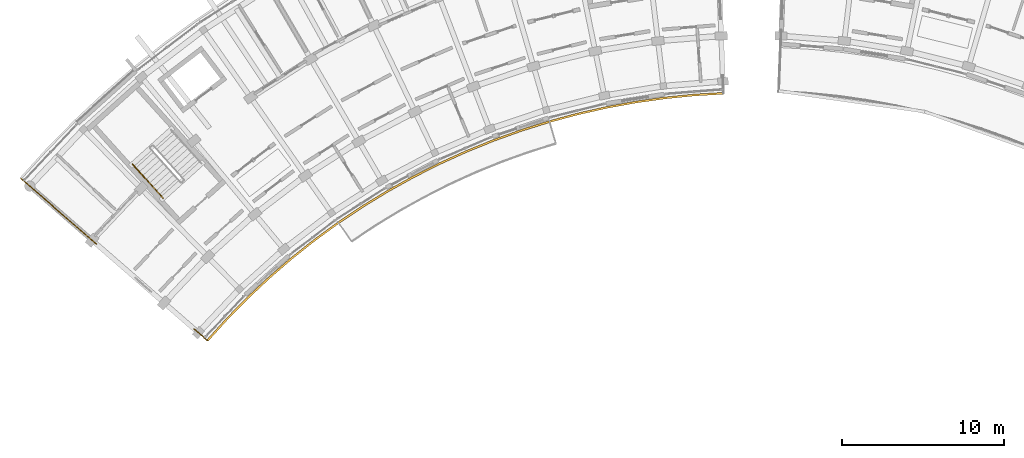
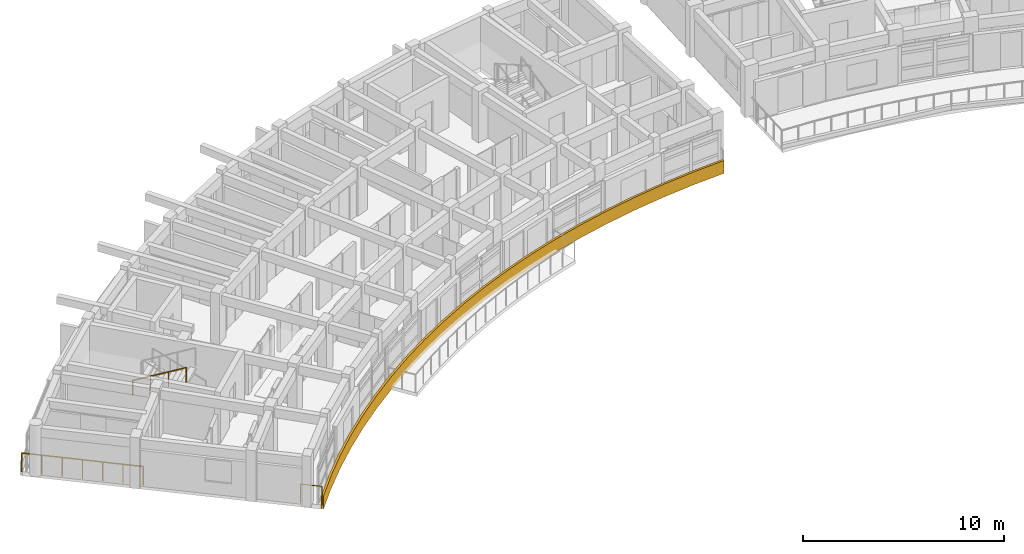
# One storey, part 29 of 38: 4 railings.
"""IFC4 building model written with IfcOpenShell, lengths in metres."""

import ifcopenshell
import ifcopenshell.guid

model = None  # the IFC model being written
_history = None  # IfcOwnerHistory: only IFC2X3 demands one
_inside = {}  # id of a spatial element -> (the spatial element, [elements in it])
_under = {}  # id of a project, library or spatial element -> (it, [spatial elements below it])
_declared = {}  # id of a project -> (the project, [libraries it declares])
_typed = {}  # id of a type object -> (the type object, [elements of that type])
_made_of = {}  # id of a material, layer set ... -> (it, [elements and type objects made of it])


def new_model(schema):
    """Start an empty IFC model of exactly this schema.

    Asked for "IFC4X3", IfcOpenShell would pick the latest addendum, in which some entities
    have other attributes; the version numbers below select the first issue.
    IFC2X3 requires an IfcOwnerHistory on every rooted entity: one is made here for all.
    """
    global model, _history
    if schema == "IFC4X3":
        model = ifcopenshell.file(schema_version=(4, 3, 0, 0))
    else:
        model = ifcopenshell.file(schema=schema)
    _inside.clear()
    _under.clear()
    _declared.clear()
    _typed.clear()
    _made_of.clear()
    _history = None
    if model.schema == "IFC2X3":
        org = make("IfcOrganization", Name="unknown")
        user = make(
            "IfcPersonAndOrganization",
            ThePerson=make("IfcPerson", FamilyName="unknown"),
            TheOrganization=org,
        )
        app = make(
            "IfcApplication",
            ApplicationDeveloper=org,
            Version="unknown",
            ApplicationFullName="unknown",
            ApplicationIdentifier="unknown",
        )
        _history = make(
            "IfcOwnerHistory",
            OwningUser=user,
            OwningApplication=app,
            ChangeAction="ADDED",
            CreationDate=0,
        )
    return model


def make(cls, **values):
    """One entity of the class cls with the attributes given. An attribute that is None is left unset."""
    return model.create_entity(
        cls, **{name: value for name, value in values.items() if value is not None}
    )


def rooted(cls, **values):
    """An entity with a GlobalId (a new one), such as an element, a storey or a relation."""
    return make(cls, GlobalId=ifcopenshell.guid.new(), OwnerHistory=_history, **values)


def si_unit(unit_type, name, prefix=None):
    """IfcSIUnit, for example si_unit("LENGTHUNIT", "METRE", prefix="MILLI")."""
    return make("IfcSIUnit", UnitType=unit_type, Prefix=prefix, Name=name)


def assignment(units):
    """IfcUnitAssignment: the units of a project."""
    return None if units is None else make("IfcUnitAssignment", Units=units)


def point(xyz):
    """IfcCartesianPoint."""
    return None if xyz is None else make("IfcCartesianPoint", Coordinates=xyz)


def direction(xyz):
    """IfcDirection."""
    return None if xyz is None else make("IfcDirection", DirectionRatios=xyz)


def frame(location, z_axis=None, x_axis=None):
    """IfcAxis2Placement3D, a coordinate frame: its origin and axes. An axis left out is left unset."""
    return make(
        "IfcAxis2Placement3D",
        Location=point(location),
        Axis=direction(z_axis),
        RefDirection=direction(x_axis),
    )


def frame_2d(location, x_axis=None):
    """IfcAxis2Placement2D, a coordinate frame in the plane: its origin and x axis."""
    return make(
        "IfcAxis2Placement2D", Location=point(location), RefDirection=direction(x_axis)
    )


def origin():
    """The frame at (0, 0, 0) with its axes left unset."""
    return frame((0.0, 0.0, 0.0))


def origin_2d():
    """The frame at (0, 0) in the plane with its x axis left unset."""
    return frame_2d((0.0, 0.0))


def place(relative_to, where):
    """IfcLocalPlacement: puts the frame where relative to a parent placement (None: the world)."""
    return make(
        "IfcLocalPlacement", PlacementRelTo=relative_to, RelativePlacement=where
    )


def context(
    kind, dimensions, precision=None, world=None, true_north=None, identifier=None
):
    """IfcGeometricRepresentationContext, for example the 3D "Model" context."""
    return make(
        "IfcGeometricRepresentationContext",
        ContextIdentifier=identifier,
        ContextType=kind,
        CoordinateSpaceDimension=dimensions,
        Precision=precision,
        WorldCoordinateSystem=world,
        TrueNorth=true_north,
    )


def subcontext(parent, identifier, kind, view, scale=None):
    """IfcGeometricRepresentationSubContext, for example "Body" below "Model"."""
    return make(
        "IfcGeometricRepresentationSubContext",
        ContextIdentifier=identifier,
        ContextType=kind,
        ParentContext=parent,
        TargetScale=scale,
        TargetView=view,
    )


def project(units=None, contexts=None):
    """IfcProject with its units and contexts."""
    return rooted(
        "IfcProject",
        Name="project",
        RepresentationContexts=contexts,
        UnitsInContext=assignment(units),
    )


def spatial(cls, under=None, at=None, **own):
    """A site, building, storey or space (cls), placed at a placement, below another one or the project."""
    s = rooted(cls, ObjectPlacement=at, **own)
    if under is not None:
        _under.setdefault(under.id(), (under, []))[1].append(s)
    return s


def polyline(points):
    """IfcPolyline through the points."""
    return make("IfcPolyline", Points=[point(p) for p in points])


def profile(cls, at=None, kind="AREA", **sizes):
    """A parametric profile (cls). Its sizes go by their IFC names, for example OverallWidth=200.0."""
    return make(cls, ProfileType=kind, Position=at, **sizes)


def circle(**sizes):
    """IfcCircleProfileDef."""
    return profile("IfcCircleProfileDef", **sizes)


def outline(outer, holes=None, kind="AREA"):
    """IfcArbitraryClosedProfileDef: a profile drawn as a closed curve; with holes, ...WithVoids."""
    if holes is None:
        return make("IfcArbitraryClosedProfileDef", ProfileType=kind, OuterCurve=outer)
    return make(
        "IfcArbitraryProfileDefWithVoids",
        ProfileType=kind,
        OuterCurve=outer,
        InnerCurves=holes,
    )


def extrude(swept, where, along, depth):
    """IfcExtrudedAreaSolid: the profile swept, set in the frame where, extruded along a direction by depth."""
    return make(
        "IfcExtrudedAreaSolid",
        SweptArea=swept,
        Position=where,
        ExtrudedDirection=direction(along),
        Depth=depth,
    )


def shape(context_of_items, identifier, shape_type, items):
    """IfcShapeRepresentation: the items that make up one representation, for example the "Body"."""
    return make(
        "IfcShapeRepresentation",
        ContextOfItems=context_of_items,
        RepresentationIdentifier=identifier,
        RepresentationType=shape_type,
        Items=items,
    )


def material(Name=None, Category=None):
    """IfcMaterial."""
    return make("IfcMaterial", Name=Name, Category=Category)


def made_of(thing, what):
    """Note that an element or type object is made of a material, layer set ...; save() writes the relation."""
    if what is not None:
        _made_of.setdefault(what.id(), (what, []))[1].append(thing)
    return thing


def type_object(cls, material=None, **own):
    """A type object (cls), such as IfcWallType, which elements share."""
    return made_of(rooted(cls, **own), material)


def element(
    cls,
    number,
    at=None,
    inside=None,
    cuts=None,
    type_object=None,
    material=None,
    context=None,
    identifier="Body",
    shape_type=None,
    held_by="IfcProductDefinitionShape",
    body=None,
    shapes=None,
    **own,
):
    """One element of the class cls, such as IfcWall. Its Tag is "e" and its number.

    at: its placement. inside: the storey or other place that contains it. cuts: it is an
    opening in that element (IfcRelVoidsElement). A single representation is given by context,
    identifier, shape_type and body (its items); several are given by shapes. held_by: the class
    of the entity that holds the representations. save() writes the other relations.
    """
    e = rooted(cls, Tag="e%d" % number, ObjectPlacement=at, **own)
    if body is not None:
        shapes = [shape(context, identifier, shape_type, body)]
    if shapes is not None:
        e.Representation = make(held_by, Representations=shapes)
    if inside is not None:
        _inside.setdefault(inside.id(), (inside, []))[1].append(e)
    if cuts is not None:
        rooted(
            "IfcRelVoidsElement", RelatingBuildingElement=cuts, RelatedOpeningElement=e
        )
    if type_object is not None:
        _typed.setdefault(type_object.id(), (type_object, []))[1].append(e)
    return made_of(e, material)


def aggregate(whole, parts):
    """IfcRelAggregates: a whole, such as a stair, and the parts it consists of."""
    return rooted("IfcRelAggregates", RelatingObject=whole, RelatedObjects=parts)


def save(model, path):
    """Write the relations noted so far, then the file.

    IfcRelAggregates (storeys below a building ...), IfcRelContainedInSpatialStructure (elements
    in a storey), IfcRelDefinesByType, IfcRelAssociatesMaterial and IfcRelDeclares: one each for
    every whole, place, type object, material and project.
    """
    for whole, parts in _under.values():
        aggregate(whole, parts)
    for where, things in _inside.values():
        rooted(
            "IfcRelContainedInSpatialStructure",
            RelatedElements=things,
            RelatingStructure=where,
        )
    for kind, things in _typed.values():
        rooted("IfcRelDefinesByType", RelatedObjects=things, RelatingType=kind)
    for what, things in _made_of.values():
        rooted("IfcRelAssociatesMaterial", RelatedObjects=things, RelatingMaterial=what)
    for by, libraries in _declared.values():
        rooted("IfcRelDeclares", RelatingContext=by, RelatedDefinitions=libraries)
    model.write(path)


model = new_model("IFC4")

# Units and contexts
model_context = context("Model", 3, precision=1e-05, world=origin(), true_north=direction((0.0, 1.0)))
body_context = subcontext(model_context, "Body", "Model", "MODEL_VIEW")
ifc_project = project(units=[si_unit("LENGTHUNIT", "METRE"), si_unit("AREAUNIT", "SQUARE_METRE"), si_unit("VOLUMEUNIT", "CUBIC_METRE"), si_unit("PLANEANGLEUNIT", "RADIAN"), si_unit("MASSUNIT", "GRAM", prefix="KILO")], contexts=[model_context])

# Site, building, storey
site_placement = place(None, origin())
site = spatial("IfcSite", under=ifc_project, at=site_placement, CompositionType="ELEMENT")
building_placement = place(site_placement, origin())
building = spatial("IfcBuilding", under=site, at=building_placement, Name="Zimvara Arc Housing Community", CompositionType="ELEMENT")
storey_placement = place(building_placement, frame((0.0, 0.0, 29.800048828125)))
storey = spatial("IfcBuildingStorey", under=building, at=storey_placement, Name="L09", CompositionType="ELEMENT", Elevation=29.800048828125)

# Railings
ifc_material_1 = material(Name="Anodised Aluminium AW-6063", Category="aluminium")
railing_type_1 = type_object("IfcRailingType", Name="RLG-BAL-1150", PredefinedType="BALUSTRADE", material=ifc_material_1)
railing_1_placement = place(storey_placement, frame((11.490966796875, 73.62890625, 0.0)))
element("IfcRailing", 1, at=railing_1_placement, inside=storey, type_object=railing_type_1, Name="rlg:blkA:L09:gable_in:g0", PredefinedType="BALUSTRADE", context=body_context, shape_type="SweptSolid", body=[
    extrude(circle(Radius=0.02392578125, at=origin_2d()), frame((0.0, 0.0, 1.1259765625), z_axis=(-0.754659042762, 0.656117161167, 0.0), x_axis=(-0.656117161167, -0.754659042762, 0.0)), (0.0, 0.0, 1.0), 1.080322265625),
    extrude(circle(Radius=0.02099609375, at=origin_2d()), origin(), (0.0, 0.0, 1.0), 1.101806640625),
    extrude(circle(Radius=0.02099609375, at=origin_2d()), frame((-0.815185546875, 0.708740234375, 0.0)), (0.0, 0.0, 1.0), 1.101806640625),
])
railing_2_placement = place(storey_placement, frame((4.668212890625, 79.559814453125, 0.0)))
element("IfcRailing", 2, at=railing_2_placement, inside=storey, type_object=railing_type_1, Name="rlg:blkA:L09:gable_out:g0", PredefinedType="BALUSTRADE", context=body_context, shape_type="SweptSolid", body=[
    extrude(circle(Radius=0.02392578125, at=origin_2d()), frame((0.0, 0.0, 1.1259765625), z_axis=(-0.754708757217, 0.656059975749, 0.0), x_axis=(-0.656059975749, -0.754708757217, 0.0)), (0.0, 0.0, 1.0), 6.159912109375),
    extrude(circle(Radius=0.02099609375, at=origin_2d()), origin(), (0.0, 0.0, 1.0), 1.101806640625),
    extrude(circle(Radius=0.02099609375, at=origin_2d()), frame((-0.77490234375, 0.673583984375, 0.0)), (0.0, 0.0, 1.0), 1.101806640625),
    extrude(circle(Radius=0.02099609375, at=origin_2d()), frame((-1.549560546875, 1.34716796875, 0.0)), (0.0, 0.0, 1.0), 1.101806640625),
    extrude(circle(Radius=0.02099609375, at=origin_2d()), frame((-2.324462890625, 2.0205078125, 0.0)), (0.0, 0.0, 1.0), 1.101806640625),
    extrude(circle(Radius=0.02099609375, at=origin_2d()), frame((-3.099365234375, 2.694091796875, 0.0)), (0.0, 0.0, 1.0), 1.101806640625),
    extrude(circle(Radius=0.02099609375, at=origin_2d()), frame((-3.8740234375, 3.36767578125, 0.0)), (0.0, 0.0, 1.0), 1.101806640625),
    extrude(circle(Radius=0.02099609375, at=origin_2d()), frame((-4.64892578125, 4.041259765625, 0.0)), (0.0, 0.0, 1.0), 1.101806640625),
])
ifc_material_2 = material(Name="Pale-Gold Anodised Aluminium AW-6063", Category="aluminium")
railing_type_2 = type_object("IfcRailingType", Name="RLG-FAS-780", PredefinedType="BALUSTRADE", material=ifc_material_2)
railing_3_placement = place(storey_placement, frame((0.0, 0.0, -0.219970703125)))
element("IfcRailing", 3, at=railing_3_placement, inside=storey, type_object=railing_type_2, Name="rlg:blkA:L09:gold_in", PredefinedType="BALUSTRADE", context=body_context, shape_type="SweptSolid", body=[
    extrude(outline(polyline([(11.55126953125, 73.576416015625), (12.766357421875, 74.91796875), (14.03515625, 76.208740234375), (15.355712890625, 77.446533203125), (16.7255859375, 78.62939453125), (18.142578125, 79.75537109375), (19.6044921875, 80.822509765625), (21.108642578125, 81.8291015625), (22.652587890625, 82.7734375), (24.234130859375, 83.654052734375), (25.849853515625, 84.46923828125), (27.497802734375, 85.2177734375), (29.1748046875, 85.8984375), (30.87841796875, 86.510009765625), (32.60546875, 87.051513671875), (34.35302734375, 87.522216796875), (36.11865234375, 87.9208984375), (37.898681640625, 88.247314453125), (39.69091796875, 88.5009765625), (41.491943359375, 88.680908203125), (43.298583984375, 88.787353515625), (43.2939453125, 88.9072265625), (41.482421875, 88.800537109375), (39.676513671875, 88.6201171875), (37.879638671875, 88.365966796875), (36.094482421875, 88.03857421875), (34.32421875, 87.638671875), (32.57177734375, 87.166748046875), (30.840087890625, 86.623779296875), (29.132080078125, 86.010498046875), (27.450439453125, 85.328125), (25.798095703125, 84.577392578125), (24.177734375, 83.760009765625), (22.59228515625, 82.877197265625), (21.0439453125, 81.93017578125), (19.53564453125, 80.9208984375), (18.06982421875, 79.850830078125), (16.64892578125, 78.721923828125), (15.275390625, 77.53564453125), (13.951416015625, 76.29443359375), (12.678955078125, 75.000244140625), (11.460693359375, 73.6552734375), (11.55126953125, 73.576416015625)])), origin(), (0.0, 0.0, 1.0), 0.780029296875),
])
ifc_material_3 = material(Name="Anodised Aluminium AW-6063", Category="aluminium")
railing_type_3 = type_object("IfcRailingType", Name="RLG-HND-900", PredefinedType="HANDRAIL", material=ifc_material_3)
railing_4_placement = place(storey_placement, frame((6.890869140625, 84.476806640625, 1.704833984375)))
element("IfcRailing", 4, at=railing_4_placement, inside=storey, type_object=railing_type_3, Name="L09 ST-A1 stair handrail 2", PredefinedType="HANDRAIL", context=body_context, shape_type="SweptSolid", body=[
    extrude(circle(Radius=0.02392578125, at=origin_2d()), frame((0.0, 0.0, 0.8759765625), z_axis=(0.599067985855, -0.665717608404, 0.444901802856), x_axis=(0.743337374551, 0.668916697052, 0.0)), (0.0, 0.0, 1.0), 3.135498046875),
    extrude(circle(Radius=0.02099609375, at=origin_2d()), origin(), (0.0, 0.0, 1.0), 0.851806640625),
    extrude(circle(Radius=0.02099609375, at=origin_2d()), frame((0.626220703125, -0.69580078125, 0.465087890625)), (0.0, 0.0, 1.0), 0.851806640625),
    extrude(circle(Radius=0.02099609375, at=origin_2d()), frame((1.252197265625, -1.3916015625, 0.929931640625)), (0.0, 0.0, 1.0), 0.851806640625),
    extrude(circle(Radius=0.02099609375, at=origin_2d()), frame((1.87841796875, -2.08740234375, 1.39501953125)), (0.0, 0.0, 1.0), 0.851806640625),
])

save(model, "model.ifc")
